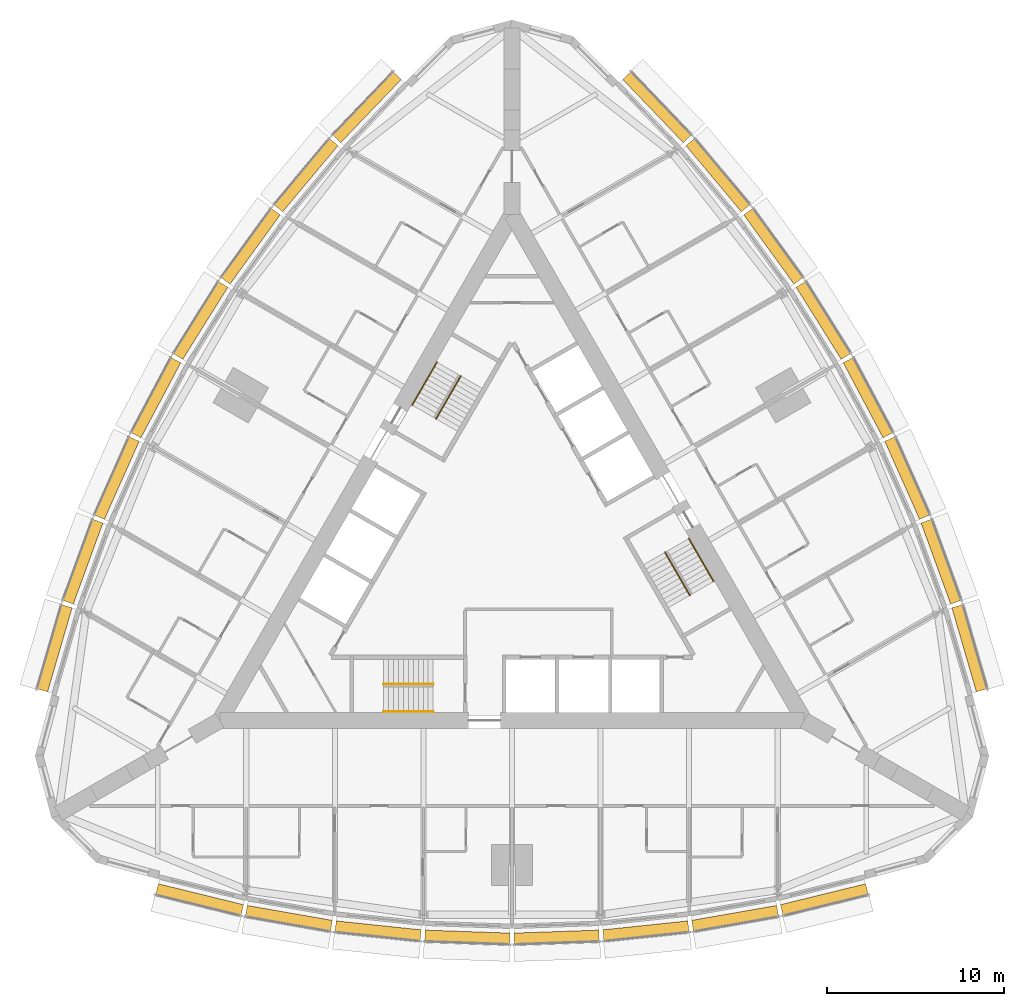
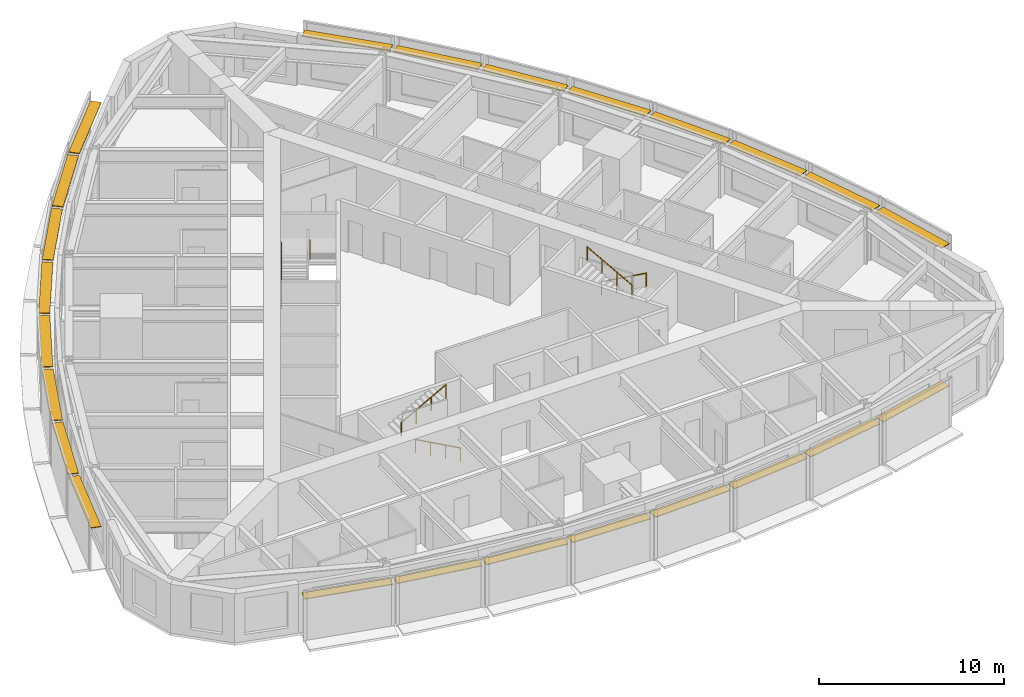
# One storey, part 14 of 14: 24 shading devices, 6 railings.
"""IFC4 building model written with IfcOpenShell, lengths in metres."""

from ifc_helpers import new_model, si_unit, direction, frame, origin, origin_2d, place, context, subcontext, project, spatial, rectangle, circle, extrude, material, type_object, element, save


model = new_model("IFC4")

# Units and contexts
model_context = context("Model", 3, precision=1e-05, world=origin(), true_north=direction((0.0, 1.0)))
body_context = subcontext(model_context, "Body", "Model", "MODEL_VIEW")
ifc_project = project(units=[si_unit("LENGTHUNIT", "METRE"), si_unit("AREAUNIT", "SQUARE_METRE"), si_unit("VOLUMEUNIT", "CUBIC_METRE"), si_unit("PLANEANGLEUNIT", "RADIAN"), si_unit("MASSUNIT", "GRAM", prefix="KILO")], contexts=[model_context])

# Site, building, storey
site_placement = place(None, origin())
site = spatial("IfcSite", under=ifc_project, at=site_placement, CompositionType="ELEMENT")
building_placement = place(site_placement, origin())
building = spatial("IfcBuilding", under=site, at=building_placement, Name="Trikona Tower", CompositionType="ELEMENT")
storey_placement = place(building_placement, frame((0.0, 0.0, 138.5)))
storey = spatial("IfcBuildingStorey", under=building, at=storey_placement, Name="L36", CompositionType="ELEMENT", Elevation=138.5)

# Shading devices
ifc_material_1 = material(Name="Aluminium louvre blade, pale anodised", Category="aluminium")
shading_device_type = type_object("IfcShadingDeviceType", Name="Cavity louvre 600", PredefinedType="USERDEFINED", material=ifc_material_1)
shading_device_1_placement = place(storey_placement, frame((-17.63330078125, -19.631591796875, 2.77490234375), z_axis=(0.0, 0.0, 1.0), x_axis=(0.971274411564, -0.237962218516, 0.0)))
element("IfcShadingDevice", 1, at=shading_device_1_placement, inside=storey, type_object=shading_device_type, Name="Cavity louvre L36-00", ObjectType="LOUVRE", PredefinedType="USERDEFINED", context=body_context, shape_type="SweptSolid", body=[
    extrude(rectangle(XDim=4.947998046875, YDim=0.60009765625, at=origin_2d()), origin(), (0.0, 0.0, 1.0), 0.050048828125),
])
shading_device_2_placement = place(storey_placement, frame((-12.596435546875, -20.689208984375, 2.77490234375), z_axis=(0.0, 0.0, 1.0), x_axis=(0.985030604067, -0.172379549401, 0.0)))
element("IfcShadingDevice", 2, at=shading_device_2_placement, inside=storey, type_object=shading_device_type, Name="Cavity louvre L36-01", ObjectType="LOUVRE", PredefinedType="USERDEFINED", context=body_context, shape_type="SweptSolid", body=[
    extrude(rectangle(XDim=4.8759765625, YDim=0.60009765625, at=origin_2d()), origin(), (0.0, 0.0, 1.0), 0.050048828125),
])
shading_device_3_placement = place(storey_placement, frame((-7.55859375, -21.39453125, 2.77490234375), z_axis=(0.0, 0.0, 1.0), x_axis=(0.994532653854, -0.104426052392, 0.0)))
element("IfcShadingDevice", 3, at=shading_device_3_placement, inside=storey, type_object=shading_device_type, Name="Cavity louvre L36-02", ObjectType="LOUVRE", PredefinedType="USERDEFINED", context=body_context, shape_type="SweptSolid", body=[
    extrude(rectangle(XDim=4.827392578125, YDim=0.60009765625, at=origin_2d()), origin(), (0.0, 0.0, 1.0), 0.050048828125),
])
for number, where, z_axis, x_axis, name in (
    (4, (-2.51953125, -21.747314453125, 2.77490234375), (0.0, 0.0, 1.0), (0.999388082937, -0.034977988567, 0.0), "Cavity louvre L36-03"),
    (5, (2.51953125, -21.747314453125, 2.77490234375), (0.0, 0.0, 1.0), (0.999388082937, 0.034977988567, 0.0), "Cavity louvre L36-04"),
):
    element("IfcShadingDevice", number, at=place(storey_placement, frame(where, z_axis=z_axis, x_axis=x_axis)), inside=storey, type_object=shading_device_type, Name=name, ObjectType="LOUVRE", PredefinedType="USERDEFINED", context=body_context, shape_type="SweptSolid", body=[
        extrude(rectangle(XDim=4.802978515625, YDim=0.60009765625, at=origin_2d()), origin(), (0.0, 0.0, 1.0), 0.050048828125),
    ])
shading_device_4_placement = place(storey_placement, frame((7.55859375, -21.39453125, 2.77490234375), z_axis=(0.0, 0.0, 1.0), x_axis=(0.994532653854, 0.104426052392, 0.0)))
element("IfcShadingDevice", 6, at=shading_device_4_placement, inside=storey, type_object=shading_device_type, Name="Cavity louvre L36-05", ObjectType="LOUVRE", PredefinedType="USERDEFINED", context=body_context, shape_type="SweptSolid", body=[
    extrude(rectangle(XDim=4.827392578125, YDim=0.60009765625, at=origin_2d()), origin(), (0.0, 0.0, 1.0), 0.050048828125),
])
shading_device_5_placement = place(storey_placement, frame((12.596435546875, -20.689208984375, 2.77490234375), z_axis=(0.0, 0.0, 1.0), x_axis=(0.985030604067, 0.172379549401, 0.0)))
element("IfcShadingDevice", 7, at=shading_device_5_placement, inside=storey, type_object=shading_device_type, Name="Cavity louvre L36-06", ObjectType="LOUVRE", PredefinedType="USERDEFINED", context=body_context, shape_type="SweptSolid", body=[
    extrude(rectangle(XDim=4.8759765625, YDim=0.60009765625, at=origin_2d()), origin(), (0.0, 0.0, 1.0), 0.050048828125),
])
shading_device_6_placement = place(storey_placement, frame((17.63330078125, -19.631591796875, 2.77490234375), z_axis=(0.0, 0.0, 1.0), x_axis=(0.971274411564, 0.237962218516, 0.0)))
element("IfcShadingDevice", 8, at=shading_device_6_placement, inside=storey, type_object=shading_device_type, Name="Cavity louvre L36-07", ObjectType="LOUVRE", PredefinedType="USERDEFINED", context=body_context, shape_type="SweptSolid", body=[
    extrude(rectangle(XDim=4.947998046875, YDim=0.60009765625, at=origin_2d()), origin(), (0.0, 0.0, 1.0), 0.050048828125),
])
shading_device_7_placement = place(storey_placement, frame((25.818115234375, -5.455078125, 2.77490234375), z_axis=(0.0, 0.0, 1.0), x_axis=(-0.279554203664, 0.960129911634, 0.0)))
element("IfcShadingDevice", 9, at=shading_device_7_placement, inside=storey, type_object=shading_device_type, Name="Cavity louvre L36-12", ObjectType="LOUVRE", PredefinedType="USERDEFINED", context=body_context, shape_type="SweptSolid", body=[
    extrude(rectangle(XDim=4.94775390625, YDim=0.60009765625, at=origin_2d()), origin(), (0.0, 0.0, 1.0), 0.050048828125),
])
shading_device_8_placement = place(storey_placement, frame((24.2158203125, -0.564208984375, 2.77490234375), z_axis=(0.0, 0.0, 1.0), x_axis=(-0.343220397324, 0.939254895575, 0.0)))
element("IfcShadingDevice", 10, at=shading_device_8_placement, inside=storey, type_object=shading_device_type, Name="Cavity louvre L36-13", ObjectType="LOUVRE", PredefinedType="USERDEFINED", context=body_context, shape_type="SweptSolid", body=[
    extrude(rectangle(XDim=4.8759765625, YDim=0.60009765625, at=origin_2d()), origin(), (0.0, 0.0, 1.0), 0.050048828125),
])
shading_device_9_placement = place(storey_placement, frame((22.3076171875, 4.151611328125, 2.77490234375), z_axis=(0.0, 0.0, 1.0), x_axis=(-0.406843467615, 0.913497888809, 0.0)))
element("IfcShadingDevice", 11, at=shading_device_9_placement, inside=storey, type_object=shading_device_type, Name="Cavity louvre L36-14", ObjectType="LOUVRE", PredefinedType="USERDEFINED", context=body_context, shape_type="SweptSolid", body=[
    extrude(rectangle(XDim=4.827392578125, YDim=0.60009765625, at=origin_2d()), origin(), (0.0, 0.0, 1.0), 0.050048828125),
])
for number, where, z_axis, x_axis, name in (
    (12, (20.093505859375, 8.691650390625, 2.77490234375), (0.0, 0.0, 1.0), (-0.469397591494, 0.882986920118, 0.0), "Cavity louvre L36-15"),
    (13, (17.573974609375, 13.0556640625, 2.77490234375), (0.0, 0.0, 1.0), (-0.529994748414, 0.848000923734, 0.0), "Cavity louvre L36-16"),
):
    element("IfcShadingDevice", number, at=place(storey_placement, frame(where, z_axis=z_axis, x_axis=x_axis)), inside=storey, type_object=shading_device_type, Name=name, ObjectType="LOUVRE", PredefinedType="USERDEFINED", context=body_context, shape_type="SweptSolid", body=[
        extrude(rectangle(XDim=4.802978515625, YDim=0.60009765625, at=origin_2d()), origin(), (0.0, 0.0, 1.0), 0.050048828125),
    ])
shading_device_10_placement = place(storey_placement, frame((14.7490234375, 17.2431640625, 2.77490234375), z_axis=(0.0, 0.0, 1.0), x_axis=(-0.587686407834, 0.809088799853, 0.0)))
element("IfcShadingDevice", 14, at=shading_device_10_placement, inside=storey, type_object=shading_device_type, Name="Cavity louvre L36-17", ObjectType="LOUVRE", PredefinedType="USERDEFINED", context=body_context, shape_type="SweptSolid", body=[
    extrude(rectangle(XDim=4.827392578125, YDim=0.60009765625, at=origin_2d()), origin(), (0.0, 0.0, 1.0), 0.050048828125),
])
shading_device_11_placement = place(storey_placement, frame((11.619140625, 21.253662109375, 2.77490234375), z_axis=(0.0, 0.0, 1.0), x_axis=(-0.641807063101, 0.766866151133, 0.0)))
element("IfcShadingDevice", 15, at=shading_device_11_placement, inside=storey, type_object=shading_device_type, Name="Cavity louvre L36-18", ObjectType="LOUVRE", PredefinedType="USERDEFINED", context=body_context, shape_type="SweptSolid", body=[
    extrude(rectangle(XDim=4.8759765625, YDim=0.60009765625, at=origin_2d()), origin(), (0.0, 0.0, 1.0), 0.050048828125),
])
for number, where, z_axis, x_axis, name in (
    (16, (8.184814453125, 25.086669921875, 2.77490234375), (0.0, 0.0, 1.0), (-0.691723573819, 0.722162376078, 0.0), "Cavity louvre L36-19"),
    (17, (-8.184814453125, 25.086669921875, 2.77490234375), (0.0, 0.0, 1.0), (-0.691723573819, -0.722162376078, 0.0), "Cavity louvre L36-24"),
):
    element("IfcShadingDevice", number, at=place(storey_placement, frame(where, z_axis=z_axis, x_axis=x_axis)), inside=storey, type_object=shading_device_type, Name=name, ObjectType="LOUVRE", PredefinedType="USERDEFINED", context=body_context, shape_type="SweptSolid", body=[
        extrude(rectangle(XDim=4.947998046875, YDim=0.60009765625, at=origin_2d()), origin(), (0.0, 0.0, 1.0), 0.050048828125),
    ])
shading_device_12_placement = place(storey_placement, frame((-11.619140625, 21.253662109375, 2.77490234375), z_axis=(0.0, 0.0, 1.0), x_axis=(-0.641807063101, -0.766866151133, 0.0)))
element("IfcShadingDevice", 18, at=shading_device_12_placement, inside=storey, type_object=shading_device_type, Name="Cavity louvre L36-25", ObjectType="LOUVRE", PredefinedType="USERDEFINED", context=body_context, shape_type="SweptSolid", body=[
    extrude(rectangle(XDim=4.8759765625, YDim=0.60009765625, at=origin_2d()), origin(), (0.0, 0.0, 1.0), 0.050048828125),
])
shading_device_13_placement = place(storey_placement, frame((-14.7490234375, 17.2431640625, 2.77490234375), z_axis=(0.0, 0.0, 1.0), x_axis=(-0.587686407834, -0.809088799853, 0.0)))
element("IfcShadingDevice", 19, at=shading_device_13_placement, inside=storey, type_object=shading_device_type, Name="Cavity louvre L36-26", ObjectType="LOUVRE", PredefinedType="USERDEFINED", context=body_context, shape_type="SweptSolid", body=[
    extrude(rectangle(XDim=4.827392578125, YDim=0.60009765625, at=origin_2d()), origin(), (0.0, 0.0, 1.0), 0.050048828125),
])
for number, where, z_axis, x_axis, name in (
    (20, (-17.573974609375, 13.0556640625, 2.77490234375), (0.0, 0.0, 1.0), (-0.529994748414, -0.848000923734, 0.0), "Cavity louvre L36-27"),
    (21, (-20.093505859375, 8.691650390625, 2.77490234375), (0.0, 0.0, 1.0), (-0.469397591494, -0.882986920118, 0.0), "Cavity louvre L36-28"),
):
    element("IfcShadingDevice", number, at=place(storey_placement, frame(where, z_axis=z_axis, x_axis=x_axis)), inside=storey, type_object=shading_device_type, Name=name, ObjectType="LOUVRE", PredefinedType="USERDEFINED", context=body_context, shape_type="SweptSolid", body=[
        extrude(rectangle(XDim=4.802978515625, YDim=0.60009765625, at=origin_2d()), origin(), (0.0, 0.0, 1.0), 0.050048828125),
    ])
shading_device_14_placement = place(storey_placement, frame((-22.3076171875, 4.151611328125, 2.77490234375), z_axis=(0.0, 0.0, 1.0), x_axis=(-0.406843467615, -0.913497888809, 0.0)))
element("IfcShadingDevice", 22, at=shading_device_14_placement, inside=storey, type_object=shading_device_type, Name="Cavity louvre L36-29", ObjectType="LOUVRE", PredefinedType="USERDEFINED", context=body_context, shape_type="SweptSolid", body=[
    extrude(rectangle(XDim=4.827392578125, YDim=0.60009765625, at=origin_2d()), origin(), (0.0, 0.0, 1.0), 0.050048828125),
])
shading_device_15_placement = place(storey_placement, frame((-24.2158203125, -0.564208984375, 2.77490234375), z_axis=(0.0, 0.0, 1.0), x_axis=(-0.343220397324, -0.939254895575, 0.0)))
element("IfcShadingDevice", 23, at=shading_device_15_placement, inside=storey, type_object=shading_device_type, Name="Cavity louvre L36-30", ObjectType="LOUVRE", PredefinedType="USERDEFINED", context=body_context, shape_type="SweptSolid", body=[
    extrude(rectangle(XDim=4.8759765625, YDim=0.60009765625, at=origin_2d()), origin(), (0.0, 0.0, 1.0), 0.050048828125),
])
shading_device_16_placement = place(storey_placement, frame((-25.818115234375, -5.455078125, 2.77490234375), z_axis=(0.0, 0.0, 1.0), x_axis=(-0.279554203664, -0.960129911634, 0.0)))
element("IfcShadingDevice", 24, at=shading_device_16_placement, inside=storey, type_object=shading_device_type, Name="Cavity louvre L36-31", ObjectType="LOUVRE", PredefinedType="USERDEFINED", context=body_context, shape_type="SweptSolid", body=[
    extrude(rectangle(XDim=4.94775390625, YDim=0.60009765625, at=origin_2d()), origin(), (0.0, 0.0, 1.0), 0.050048828125),
])

# Railings
ifc_material_2 = material(Name="Stainless steel handrail", Category="steel")
railing_type = type_object("IfcRailingType", Name="Stair handrail", PredefinedType="HANDRAIL", material=ifc_material_2)
railing_1_placement = place(storey_placement, frame((-4.449951171875, -9.016357421875, 0.154541015625)))
element("IfcRailing", 25, at=railing_1_placement, inside=storey, type_object=railing_type, Name="Stair handrail A L36 1", PredefinedType="HANDRAIL", context=body_context, shape_type="SweptSolid", body=[
    extrude(circle(Radius=0.02392578125, at=origin_2d()), frame((0.0, 0.0, 0.8759765625), z_axis=(-0.875504190374, 0.0, 0.483210526207), x_axis=(0.0, -1.0, 0.0)), (0.0, 0.0, 1.0), 3.1982421875),
    extrude(circle(Radius=0.02099609375, at=origin_2d()), origin(), (0.0, 0.0, 1.0), 0.851806640625),
    extrude(circle(Radius=0.02099609375, at=origin_2d()), frame((-0.933349609375, 0.0, 0.51513671875)), (0.0, 0.0, 1.0), 0.851806640625),
    extrude(circle(Radius=0.02099609375, at=origin_2d()), frame((-1.86669921875, 0.0, 1.0302734375)), (0.0, 0.0, 1.0), 0.851806640625),
    extrude(circle(Radius=0.02099609375, at=origin_2d()), frame((-2.800048828125, 0.0, 1.54541015625)), (0.0, 0.0, 1.0), 0.851806640625),
])
railing_2_placement = place(storey_placement, frame((-7.25, -7.46630859375, 1.8544921875)))
element("IfcRailing", 26, at=railing_2_placement, inside=storey, type_object=railing_type, Name="Stair handrail A L36 2", PredefinedType="HANDRAIL", context=body_context, shape_type="SweptSolid", body=[
    extrude(circle(Radius=0.02392578125, at=origin_2d()), frame((0.0, 0.0, 0.8759765625), z_axis=(0.875504190374, 0.0, 0.483210526207), x_axis=(0.0, 1.0, 0.0)), (0.0, 0.0, 1.0), 3.1982421875),
    extrude(circle(Radius=0.02099609375, at=origin_2d()), origin(), (0.0, 0.0, 1.0), 0.851806640625),
    extrude(circle(Radius=0.02099609375, at=origin_2d()), frame((0.933349609375, 0.0, 0.51513671875)), (0.0, 0.0, 1.0), 0.851806640625),
    extrude(circle(Radius=0.02099609375, at=origin_2d()), frame((1.86669921875, 0.0, 1.0302734375)), (0.0, 0.0, 1.0), 0.851806640625),
    extrude(circle(Radius=0.02099609375, at=origin_2d()), frame((2.800048828125, 0.0, 1.54541015625)), (0.0, 0.0, 1.0), 0.851806640625),
])
railing_3_placement = place(storey_placement, frame((9.9833984375, 0.740966796875, 0.154541015625)))
element("IfcRailing", 27, at=railing_3_placement, inside=storey, type_object=railing_type, Name="Stair handrail B L36 1", PredefinedType="HANDRAIL", context=body_context, shape_type="SweptSolid", body=[
    extrude(circle(Radius=0.02392578125, at=origin_2d()), frame((0.0, 0.0, 0.8759765625), z_axis=(0.437707188162, -0.758239536103, 0.483203087036), x_axis=(0.866056369097, 0.49994636267, 0.0)), (0.0, 0.0, 1.0), 3.1982421875),
    extrude(circle(Radius=0.02099609375, at=origin_2d()), origin(), (0.0, 0.0, 1.0), 0.851806640625),
    extrude(circle(Radius=0.02099609375, at=origin_2d()), frame((0.466552734375, -0.808349609375, 0.51513671875)), (0.0, 0.0, 1.0), 0.851806640625),
    extrude(circle(Radius=0.02099609375, at=origin_2d()), frame((0.933349609375, -1.61669921875, 1.0302734375)), (0.0, 0.0, 1.0), 0.851806640625),
    extrude(circle(Radius=0.02099609375, at=origin_2d()), frame((1.39990234375, -2.425048828125, 1.54541015625)), (0.0, 0.0, 1.0), 0.851806640625),
])
railing_4_placement = place(storey_placement, frame((10.041015625, -2.458984375, 1.8544921875)))
element("IfcRailing", 28, at=railing_4_placement, inside=storey, type_object=railing_type, Name="Stair handrail B L36 2", PredefinedType="HANDRAIL", context=body_context, shape_type="SweptSolid", body=[
    extrude(circle(Radius=0.02392578125, at=origin_2d()), frame((0.0, 0.0, 0.8759765625), z_axis=(-0.437707188162, 0.758239536103, 0.483203087036), x_axis=(-0.866056369097, -0.49994636267, 0.0)), (0.0, 0.0, 1.0), 3.1982421875),
    extrude(circle(Radius=0.02099609375, at=origin_2d()), origin(), (0.0, 0.0, 1.0), 0.851806640625),
    extrude(circle(Radius=0.02099609375, at=origin_2d()), frame((-0.466552734375, 0.808349609375, 0.51513671875)), (0.0, 0.0, 1.0), 0.851806640625),
    extrude(circle(Radius=0.02099609375, at=origin_2d()), frame((-0.933349609375, 1.61669921875, 1.0302734375)), (0.0, 0.0, 1.0), 0.851806640625),
    extrude(circle(Radius=0.02099609375, at=origin_2d()), frame((-1.39990234375, 2.425048828125, 1.54541015625)), (0.0, 0.0, 1.0), 0.851806640625),
])
railing_5_placement = place(storey_placement, frame((-5.63330078125, 8.275390625, 0.154541015625)))
element("IfcRailing", 29, at=railing_5_placement, inside=storey, type_object=railing_type, Name="Stair handrail C L36 1", PredefinedType="HANDRAIL", context=body_context, shape_type="SweptSolid", body=[
    extrude(circle(Radius=0.02392578125, at=origin_2d()), frame((0.0, 0.0, 0.8759765625), z_axis=(0.437732523806, 0.758207085183, 0.483231056102), x_axis=(-0.866034573852, 0.49998411664, 0.0)), (0.0, 0.0, 1.0), 3.197998046875),
    extrude(circle(Radius=0.02099609375, at=origin_2d()), origin(), (0.0, 0.0, 1.0), 0.851806640625),
    extrude(circle(Radius=0.02099609375, at=origin_2d()), frame((0.466552734375, 0.808349609375, 0.51513671875)), (0.0, 0.0, 1.0), 0.851806640625),
    extrude(circle(Radius=0.02099609375, at=origin_2d()), frame((0.933349609375, 1.616455078125, 1.0302734375)), (0.0, 0.0, 1.0), 0.851806640625),
    extrude(circle(Radius=0.02099609375, at=origin_2d()), frame((1.39990234375, 2.4248046875, 1.54541015625)), (0.0, 0.0, 1.0), 0.851806640625),
])
railing_6_placement = place(storey_placement, frame((-2.89111328125, 9.92529296875, 1.8544921875)))
element("IfcRailing", 30, at=railing_6_placement, inside=storey, type_object=railing_type, Name="Stair handrail C L36 2", PredefinedType="HANDRAIL", context=body_context, shape_type="SweptSolid", body=[
    extrude(circle(Radius=0.02392578125, at=origin_2d()), frame((0.0, 0.0, 0.8759765625), z_axis=(-0.437707188162, -0.758239536103, 0.483203087036), x_axis=(0.866056369097, -0.49994636267, 0.0)), (0.0, 0.0, 1.0), 3.1982421875),
    extrude(circle(Radius=0.02099609375, at=origin_2d()), origin(), (0.0, 0.0, 1.0), 0.851806640625),
    extrude(circle(Radius=0.02099609375, at=origin_2d()), frame((-0.466552734375, -0.808349609375, 0.51513671875)), (0.0, 0.0, 1.0), 0.851806640625),
    extrude(circle(Radius=0.02099609375, at=origin_2d()), frame((-0.933349609375, -1.61669921875, 1.0302734375)), (0.0, 0.0, 1.0), 0.851806640625),
    extrude(circle(Radius=0.02099609375, at=origin_2d()), frame((-1.39990234375, -2.425048828125, 1.54541015625)), (0.0, 0.0, 1.0), 0.851806640625),
])

save(model, "model.ifc")
